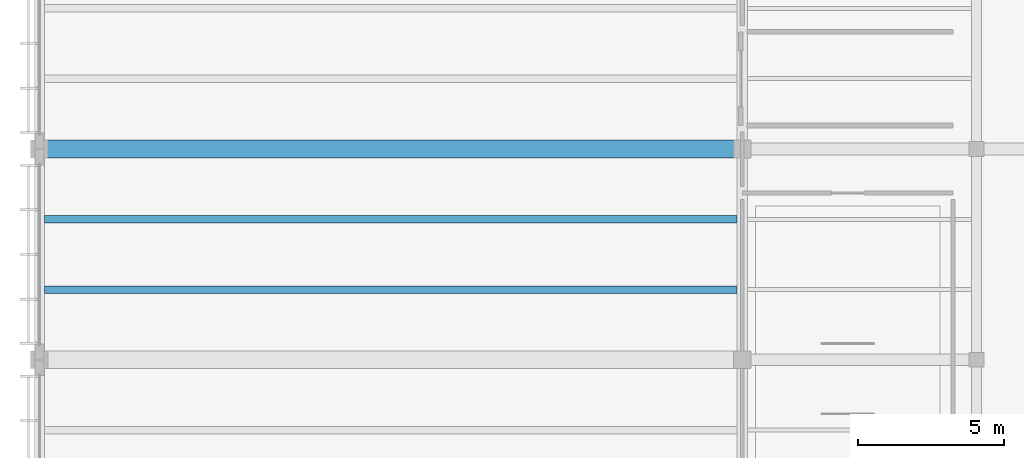
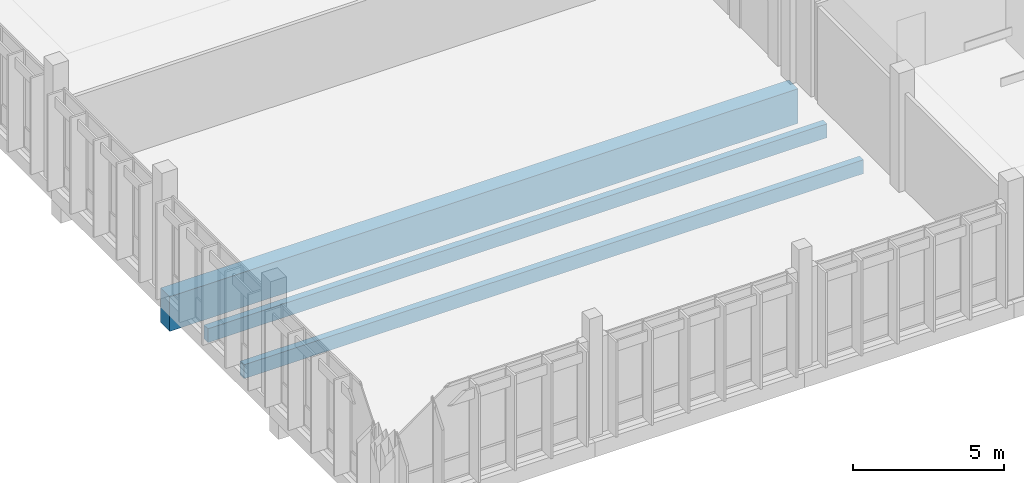
# One storey, part 15 of 177: 3 beams.
"""IFC4 building model written with IfcOpenShell, lengths in metres."""

from ifc_helpers import new_model, si_unit, direction, frame, origin, origin_2d, place, context, subcontext, project, spatial, rectangle, extrude, material, material_profile, profile_set, type_object, element, save


model = new_model("IFC4")

# Units and contexts
model_context = context("Model", 3, precision=1e-05, world=origin(), true_north=direction((0.0, 1.0)))
body_context = subcontext(model_context, "Body", "Model", "MODEL_VIEW")
ifc_project = project(units=[si_unit("LENGTHUNIT", "METRE"), si_unit("AREAUNIT", "SQUARE_METRE"), si_unit("VOLUMEUNIT", "CUBIC_METRE"), si_unit("PLANEANGLEUNIT", "RADIAN"), si_unit("MASSUNIT", "GRAM", prefix="KILO")], contexts=[model_context])

# Site, building, storey
site_placement = place(None, origin())
site = spatial("IfcSite", under=ifc_project, at=site_placement, CompositionType="ELEMENT")
building_placement = place(site_placement, origin())
building = spatial("IfcBuilding", under=site, at=building_placement, Name="Chiffa Square Polytechnic", CompositionType="ELEMENT")
storey_placement = place(building_placement, frame((0.0, 0.0, 4.800048828125)))
storey = spatial("IfcBuildingStorey", under=building, at=storey_placement, Name="L01", CompositionType="ELEMENT", Elevation=4.800048828125)

# Beams
ifc_material_1 = material(Name="Concrete C40/50", Category="concrete")
ifc_material_profile_1 = material_profile(ifc_material_1, rectangle(XDim=0.60009765625, YDim=1.39990234375, at=origin_2d()), Name="RC 600x1400")
ifc_profile_set_1 = profile_set([ifc_material_profile_1], Name="Concrete C40/50")
beam_type_1 = type_object("IfcBeamType", Name="BM-RC-600X1400", PredefinedType="BEAM", material=ifc_profile_set_1)
beam_placement = place(storey_placement, frame((0.0, 14.39990234375, -0.97998046875), z_axis=(1.0, 0.0, 0.0), x_axis=(0.0, 1.0, 0.0)))
element("IfcBeam", 1, at=beam_placement, inside=storey, type_object=beam_type_1, Name="Primary floor girder BM-V3-L01-X-0000-0144", PredefinedType="BEAM", context=body_context, shape_type="SweptSolid", body=[
    extrude(rectangle(XDim=0.60009765625, YDim=1.39990234375, at=origin_2d()), origin(), (0.0, 0.0, 1.0), 24.0),
])
ifc_material_2 = material(Name="Glulam GL28h", Category="wood")
ifc_material_profile_2 = material_profile(ifc_material_2, rectangle(XDim=0.260009765625, YDim=0.56005859375, at=origin_2d()), Name="GL28h 260x560")
ifc_profile_set_2 = profile_set([ifc_material_profile_2], Name="Glulam GL28h")
beam_type_2 = type_object("IfcBeamType", Name="JST-GL-260X560", PredefinedType="JOIST", material=ifc_profile_set_2)
for number, where, z_axis, x_axis, name in (
    (2, (0.173095703125, 9.60009765625, -0.56005859375), (1.0, 0.0, 0.0), (0.0, 1.0, 0.0), "Secondary floor joist JST-V3-L01-0000-0096"),
    (3, (0.173095703125, 12.0, -0.56005859375), (1.0, 0.0, 0.0), (0.0, 1.0, 0.0), "Secondary floor joist JST-V3-L01-0000-0120"),
):
    element("IfcBeam", number, at=place(storey_placement, frame(where, z_axis=z_axis, x_axis=x_axis)), inside=storey, type_object=beam_type_2, Name=name, PredefinedType="JOIST", context=body_context, shape_type="SweptSolid", body=[
        extrude(rectangle(XDim=0.260009765625, YDim=0.56005859375, at=origin_2d()), origin(), (0.0, 0.0, 1.0), 23.65380859375),
    ])

save(model, "model.ifc")
